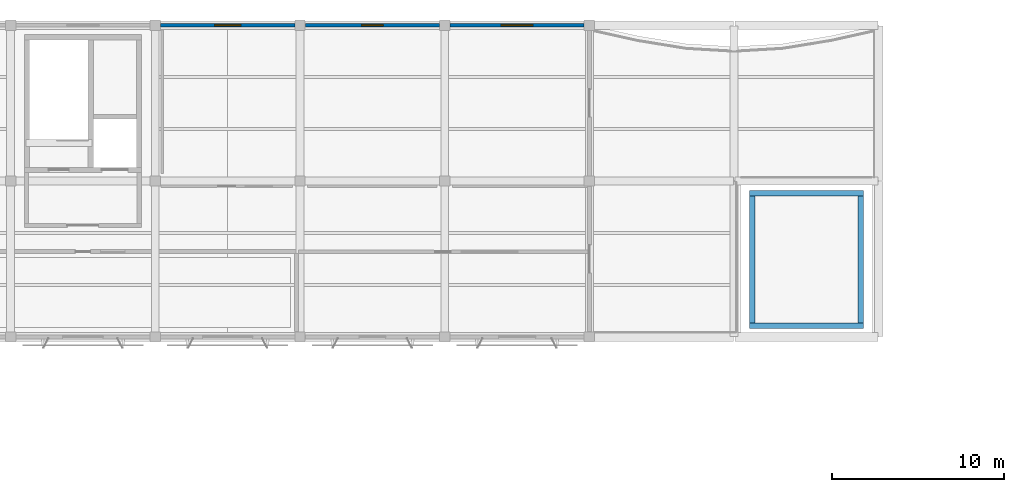
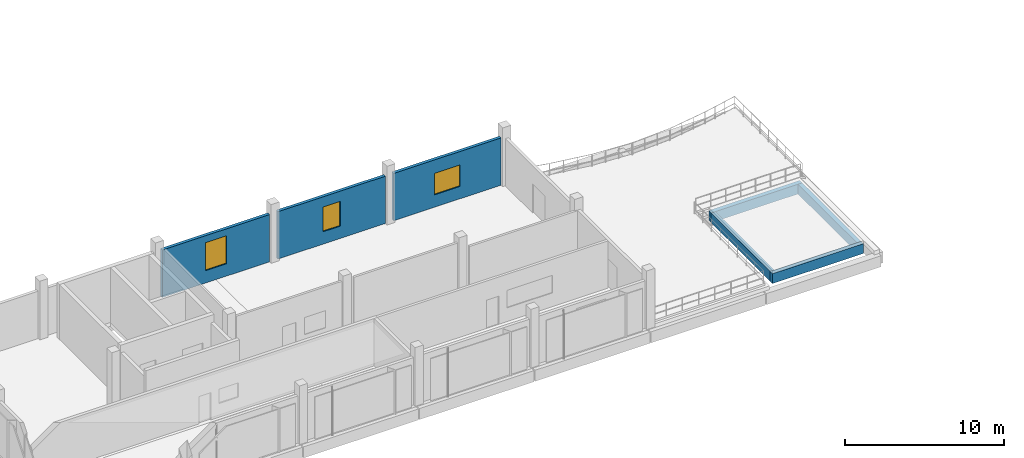
# One storey, part 20 of 28: 7 walls, 3 windows, 3 openings.
"""IFC4 building model written with IfcOpenShell, lengths in metres."""

import ifcopenshell
import ifcopenshell.guid

model = None  # the IFC model being written
_history = None  # IfcOwnerHistory: only IFC2X3 demands one
_inside = {}  # id of a spatial element -> (the spatial element, [elements in it])
_under = {}  # id of a project, library or spatial element -> (it, [spatial elements below it])
_declared = {}  # id of a project -> (the project, [libraries it declares])
_typed = {}  # id of a type object -> (the type object, [elements of that type])
_made_of = {}  # id of a material, layer set ... -> (it, [elements and type objects made of it])


def new_model(schema):
    """Start an empty IFC model of exactly this schema.

    Asked for "IFC4X3", IfcOpenShell would pick the latest addendum, in which some entities
    have other attributes; the version numbers below select the first issue.
    IFC2X3 requires an IfcOwnerHistory on every rooted entity: one is made here for all.
    """
    global model, _history
    if schema == "IFC4X3":
        model = ifcopenshell.file(schema_version=(4, 3, 0, 0))
    else:
        model = ifcopenshell.file(schema=schema)
    _inside.clear()
    _under.clear()
    _declared.clear()
    _typed.clear()
    _made_of.clear()
    _history = None
    if model.schema == "IFC2X3":
        org = make("IfcOrganization", Name="unknown")
        user = make(
            "IfcPersonAndOrganization",
            ThePerson=make("IfcPerson", FamilyName="unknown"),
            TheOrganization=org,
        )
        app = make(
            "IfcApplication",
            ApplicationDeveloper=org,
            Version="unknown",
            ApplicationFullName="unknown",
            ApplicationIdentifier="unknown",
        )
        _history = make(
            "IfcOwnerHistory",
            OwningUser=user,
            OwningApplication=app,
            ChangeAction="ADDED",
            CreationDate=0,
        )
    return model


def make(cls, **values):
    """One entity of the class cls with the attributes given. An attribute that is None is left unset."""
    return model.create_entity(
        cls, **{name: value for name, value in values.items() if value is not None}
    )


def rooted(cls, **values):
    """An entity with a GlobalId (a new one), such as an element, a storey or a relation."""
    return make(cls, GlobalId=ifcopenshell.guid.new(), OwnerHistory=_history, **values)


def si_unit(unit_type, name, prefix=None):
    """IfcSIUnit, for example si_unit("LENGTHUNIT", "METRE", prefix="MILLI")."""
    return make("IfcSIUnit", UnitType=unit_type, Prefix=prefix, Name=name)


def assignment(units):
    """IfcUnitAssignment: the units of a project."""
    return None if units is None else make("IfcUnitAssignment", Units=units)


def point(xyz):
    """IfcCartesianPoint."""
    return None if xyz is None else make("IfcCartesianPoint", Coordinates=xyz)


def direction(xyz):
    """IfcDirection."""
    return None if xyz is None else make("IfcDirection", DirectionRatios=xyz)


def frame(location, z_axis=None, x_axis=None):
    """IfcAxis2Placement3D, a coordinate frame: its origin and axes. An axis left out is left unset."""
    return make(
        "IfcAxis2Placement3D",
        Location=point(location),
        Axis=direction(z_axis),
        RefDirection=direction(x_axis),
    )


def frame_2d(location, x_axis=None):
    """IfcAxis2Placement2D, a coordinate frame in the plane: its origin and x axis."""
    return make(
        "IfcAxis2Placement2D", Location=point(location), RefDirection=direction(x_axis)
    )


def origin():
    """The frame at (0, 0, 0) with its axes left unset."""
    return frame((0.0, 0.0, 0.0))


def place(relative_to, where):
    """IfcLocalPlacement: puts the frame where relative to a parent placement (None: the world)."""
    return make(
        "IfcLocalPlacement", PlacementRelTo=relative_to, RelativePlacement=where
    )


def context(
    kind, dimensions, precision=None, world=None, true_north=None, identifier=None
):
    """IfcGeometricRepresentationContext, for example the 3D "Model" context."""
    return make(
        "IfcGeometricRepresentationContext",
        ContextIdentifier=identifier,
        ContextType=kind,
        CoordinateSpaceDimension=dimensions,
        Precision=precision,
        WorldCoordinateSystem=world,
        TrueNorth=true_north,
    )


def subcontext(parent, identifier, kind, view, scale=None):
    """IfcGeometricRepresentationSubContext, for example "Body" below "Model"."""
    return make(
        "IfcGeometricRepresentationSubContext",
        ContextIdentifier=identifier,
        ContextType=kind,
        ParentContext=parent,
        TargetScale=scale,
        TargetView=view,
    )


def project(units=None, contexts=None):
    """IfcProject with its units and contexts."""
    return rooted(
        "IfcProject",
        Name="project",
        RepresentationContexts=contexts,
        UnitsInContext=assignment(units),
    )


def spatial(cls, under=None, at=None, **own):
    """A site, building, storey or space (cls), placed at a placement, below another one or the project."""
    s = rooted(cls, ObjectPlacement=at, **own)
    if under is not None:
        _under.setdefault(under.id(), (under, []))[1].append(s)
    return s


def profile(cls, at=None, kind="AREA", **sizes):
    """A parametric profile (cls). Its sizes go by their IFC names, for example OverallWidth=200.0."""
    return make(cls, ProfileType=kind, Position=at, **sizes)


def rectangle(**sizes):
    """IfcRectangleProfileDef."""
    return profile("IfcRectangleProfileDef", **sizes)


def extrude(swept, where, along, depth):
    """IfcExtrudedAreaSolid: the profile swept, set in the frame where, extruded along a direction by depth."""
    return make(
        "IfcExtrudedAreaSolid",
        SweptArea=swept,
        Position=where,
        ExtrudedDirection=direction(along),
        Depth=depth,
    )


def shape(context_of_items, identifier, shape_type, items):
    """IfcShapeRepresentation: the items that make up one representation, for example the "Body"."""
    return make(
        "IfcShapeRepresentation",
        ContextOfItems=context_of_items,
        RepresentationIdentifier=identifier,
        RepresentationType=shape_type,
        Items=items,
    )


def material(Name=None, Category=None):
    """IfcMaterial."""
    return make("IfcMaterial", Name=Name, Category=Category)


def layer(
    of_material, thickness, ventilated=None, Name=None, Category=None, Priority=None
):
    """IfcMaterialLayer: one layer of a wall or slab, of a material (None: an air gap)."""
    return make(
        "IfcMaterialLayer",
        Material=of_material,
        LayerThickness=thickness,
        IsVentilated=ventilated,
        Name=Name,
        Category=Category,
        Priority=Priority,
    )


def layer_set(layers, Name=None):
    """IfcMaterialLayerSet."""
    return make("IfcMaterialLayerSet", MaterialLayers=layers, LayerSetName=Name)


def made_of(thing, what):
    """Note that an element or type object is made of a material, layer set ...; save() writes the relation."""
    if what is not None:
        _made_of.setdefault(what.id(), (what, []))[1].append(thing)
    return thing


def type_object(cls, material=None, **own):
    """A type object (cls), such as IfcWallType, which elements share."""
    return made_of(rooted(cls, **own), material)


def element(
    cls,
    number,
    at=None,
    inside=None,
    cuts=None,
    type_object=None,
    material=None,
    context=None,
    identifier="Body",
    shape_type=None,
    held_by="IfcProductDefinitionShape",
    body=None,
    shapes=None,
    **own,
):
    """One element of the class cls, such as IfcWall. Its Tag is "e" and its number.

    at: its placement. inside: the storey or other place that contains it. cuts: it is an
    opening in that element (IfcRelVoidsElement). A single representation is given by context,
    identifier, shape_type and body (its items); several are given by shapes. held_by: the class
    of the entity that holds the representations. save() writes the other relations.
    """
    e = rooted(cls, Tag="e%d" % number, ObjectPlacement=at, **own)
    if body is not None:
        shapes = [shape(context, identifier, shape_type, body)]
    if shapes is not None:
        e.Representation = make(held_by, Representations=shapes)
    if inside is not None:
        _inside.setdefault(inside.id(), (inside, []))[1].append(e)
    if cuts is not None:
        rooted(
            "IfcRelVoidsElement", RelatingBuildingElement=cuts, RelatedOpeningElement=e
        )
    if type_object is not None:
        _typed.setdefault(type_object.id(), (type_object, []))[1].append(e)
    return made_of(e, material)


def fill(opening, filler):
    """IfcRelFillsElement: the door or window that sits in an opening."""
    return rooted(
        "IfcRelFillsElement",
        RelatingOpeningElement=opening,
        RelatedBuildingElement=filler,
    )


def aggregate(whole, parts):
    """IfcRelAggregates: a whole, such as a stair, and the parts it consists of."""
    return rooted("IfcRelAggregates", RelatingObject=whole, RelatedObjects=parts)


def save(model, path):
    """Write the relations noted so far, then the file.

    IfcRelAggregates (storeys below a building ...), IfcRelContainedInSpatialStructure (elements
    in a storey), IfcRelDefinesByType, IfcRelAssociatesMaterial and IfcRelDeclares: one each for
    every whole, place, type object, material and project.
    """
    for whole, parts in _under.values():
        aggregate(whole, parts)
    for where, things in _inside.values():
        rooted(
            "IfcRelContainedInSpatialStructure",
            RelatedElements=things,
            RelatingStructure=where,
        )
    for kind, things in _typed.values():
        rooted("IfcRelDefinesByType", RelatedObjects=things, RelatingType=kind)
    for what, things in _made_of.values():
        rooted("IfcRelAssociatesMaterial", RelatedObjects=things, RelatingMaterial=what)
    for by, libraries in _declared.values():
        rooted("IfcRelDeclares", RelatingContext=by, RelatedDefinitions=libraries)
    model.write(path)


model = new_model("IFC4")

# Units and contexts
model_context = context("Model", 3, precision=1e-05, world=origin(), true_north=direction((0.0, 1.0)))
body_context = subcontext(model_context, "Body", "Model", "MODEL_VIEW")
ifc_project = project(units=[si_unit("LENGTHUNIT", "METRE"), si_unit("AREAUNIT", "SQUARE_METRE"), si_unit("VOLUMEUNIT", "CUBIC_METRE"), si_unit("PLANEANGLEUNIT", "RADIAN"), si_unit("MASSUNIT", "GRAM", prefix="KILO")], contexts=[model_context])

# Site, building, storey
site_placement = place(None, origin())
site = spatial("IfcSite", under=ifc_project, at=site_placement, CompositionType="ELEMENT")
building_placement = place(site_placement, origin())
building = spatial("IfcBuilding", under=site, at=building_placement, Name="Khurvash Pelagic Aquarium", CompositionType="ELEMENT")
storey_placement = place(building_placement, frame((0.0, 0.0, 20.10009765625)))
storey = spatial("IfcBuildingStorey", under=building, at=storey_placement, Name="L04", CompositionType="ELEMENT", Elevation=20.10009765625)

# Wall, opening, window
ifc_material_1 = material(Name="Glass-fibre reinforced concrete C40/50", Category="concrete")
ifc_layer_1 = layer(ifc_material_1, 0.219970703125)
ifc_layer_set_1 = layer_set([ifc_layer_1], Name="Glass-fibre reinforced concrete C40/50")
wall_type_1 = type_object("IfcWallType", Name="EW-220", PredefinedType="STANDARD", material=ifc_layer_set_1)
wall_1_placement = place(storey_placement, frame((100.4951171875, 102.14990234375, 0.0), z_axis=(0.0, 0.0, 1.0), x_axis=(-1.0, 0.0, 0.0)))
wall_1 = element("IfcWall", 1, at=wall_1_placement, inside=storey, type_object=wall_type_1, Name="L04 Exterior Architectural Facade Wall EW-220 0196", PredefinedType="STANDARD", context=body_context, shape_type="SweptSolid", body=[
    extrude(rectangle(XDim=7.7900390625, YDim=0.219970703125, at=frame_2d((3.89501953125, 0.0))), origin(), (0.0, 0.0, 1.0), 3.630859375),
])
opening_1_placement = place(wall_1_placement, frame((2.969970703125, 0.0, 0.949951171875)))
opening_1 = element("IfcOpeningElement", 2, at=opening_1_placement, cuts=wall_1, Name="Opening WN-29", PredefinedType="OPENING", context=body_context, shape_type="SweptSolid", body=[
    extrude(rectangle(XDim=1.85009765625, YDim=1.64990234375, at=frame_2d((0.925048828125, 0.824951171875))), frame((0.0, 0.1201171875, 0.0), z_axis=(0.0, -1.0, 0.0), x_axis=(1.0, 0.0, 0.0)), (0.0, 0.0, 1.0), 0.239990234375),
])
ifc_material_2 = material(Name="Thermally broken aluminium and low-E glass", Category="aluminium")
window_type_1 = type_object("IfcWindowType", Name="WN-29", PartitioningType="SINGLE_PANEL", PredefinedType="WINDOW", material=ifc_material_2)
window_1_placement = place(opening_1_placement, origin())
window_1 = element("IfcWindow", 3, at=window_1_placement, inside=storey, type_object=window_type_1, Name="L04 Facade Window WN-29 0130", OverallHeight=1.64990234375, OverallWidth=1.85009765625, PartitioningType="SINGLE_PANEL", PredefinedType="WINDOW", context=body_context, shape_type="SweptSolid", body=[
    extrude(rectangle(XDim=1.85009765625, YDim=1.64990234375, at=frame_2d((0.925048828125, 0.824951171875))), frame((0.0, 0.030029296875, 0.0), z_axis=(0.0, -1.0, 0.0), x_axis=(1.0, 0.0, 0.0)), (0.0, 0.0, 1.0), 0.06005859375),
])
fill(opening_1, window_1)

wall_2_placement = place(storey_placement, frame((92.094970703125, 102.14990234375, 0.0), z_axis=(0.0, 0.0, 1.0), x_axis=(-1.0, 0.0, 0.0)))
wall_2 = element("IfcWall", 4, at=wall_2_placement, inside=storey, type_object=wall_type_1, Name="L04 Exterior Architectural Facade Wall EW-220 0197", PredefinedType="STANDARD", context=body_context, shape_type="SweptSolid", body=[
    extrude(rectangle(XDim=7.7900390625, YDim=0.219970703125, at=frame_2d((3.89501953125, 0.0))), origin(), (0.0, 0.0, 1.0), 3.630859375),
])
opening_2_placement = place(wall_2_placement, frame((3.27001953125, 0.0, 0.949951171875)))
opening_2 = element("IfcOpeningElement", 5, at=opening_2_placement, cuts=wall_2, Name="Opening WN-31", PredefinedType="OPENING", context=body_context, shape_type="SweptSolid", body=[
    extrude(rectangle(XDim=1.25, YDim=1.89990234375, at=frame_2d((0.625, 0.949951171875))), frame((0.0, 0.1201171875, 0.0), z_axis=(0.0, -1.0, 0.0), x_axis=(1.0, 0.0, 0.0)), (0.0, 0.0, 1.0), 0.239990234375),
])
window_type_2 = type_object("IfcWindowType", Name="WN-31", PartitioningType="SINGLE_PANEL", PredefinedType="WINDOW", material=ifc_material_2)
window_2_placement = place(opening_2_placement, origin())
window_2 = element("IfcWindow", 6, at=window_2_placement, inside=storey, type_object=window_type_2, Name="L04 Facade Window WN-31 0131", OverallHeight=1.89990234375, OverallWidth=1.25, PartitioningType="SINGLE_PANEL", PredefinedType="WINDOW", context=body_context, shape_type="SweptSolid", body=[
    extrude(rectangle(XDim=1.25, YDim=1.89990234375, at=frame_2d((0.625, 0.949951171875))), frame((0.0, 0.030029296875, 0.0), z_axis=(0.0, -1.0, 0.0), x_axis=(1.0, 0.0, 0.0)), (0.0, 0.0, 1.0), 0.06005859375),
])
fill(opening_2, window_2)

wall_3_placement = place(storey_placement, frame((83.695068359375, 102.14990234375, 0.0), z_axis=(0.0, 0.0, 1.0), x_axis=(-1.0, 0.0, 0.0)))
wall_3 = element("IfcWall", 7, at=wall_3_placement, inside=storey, type_object=wall_type_1, Name="L04 Exterior Architectural Facade Wall EW-220 0198", PredefinedType="STANDARD", context=body_context, shape_type="SweptSolid", body=[
    extrude(rectangle(XDim=7.7900390625, YDim=0.219970703125, at=frame_2d((3.89501953125, 0.0))), origin(), (0.0, 0.0, 1.0), 3.630859375),
])
opening_3_placement = place(wall_3_placement, frame((3.135009765625, 0.0, 0.949951171875)))
opening_3 = element("IfcOpeningElement", 8, at=opening_3_placement, cuts=wall_3, Name="Opening WN-33", PredefinedType="OPENING", context=body_context, shape_type="SweptSolid", body=[
    extrude(rectangle(XDim=1.52001953125, YDim=2.14990234375, at=frame_2d((0.760009765625, 1.074951171875))), frame((0.0, 0.1201171875, 0.0), z_axis=(0.0, -1.0, 0.0), x_axis=(1.0, 0.0, 0.0)), (0.0, 0.0, 1.0), 0.239990234375),
])
window_type_3 = type_object("IfcWindowType", Name="WN-33", PartitioningType="SINGLE_PANEL", PredefinedType="WINDOW", material=ifc_material_2)
window_3_placement = place(opening_3_placement, origin())
window_3 = element("IfcWindow", 9, at=window_3_placement, inside=storey, type_object=window_type_3, Name="L04 Facade Window WN-33 0132", OverallHeight=2.14990234375, OverallWidth=1.52001953125, PartitioningType="SINGLE_PANEL", PredefinedType="WINDOW", context=body_context, shape_type="SweptSolid", body=[
    extrude(rectangle(XDim=1.52001953125, YDim=2.14990234375, at=frame_2d((0.760009765625, 1.074951171875))), frame((0.0, 0.030029296875, 0.0), z_axis=(0.0, -1.0, 0.0), x_axis=(1.0, 0.0, 0.0)), (0.0, 0.0, 1.0), 0.06005859375),
])
fill(opening_3, window_3)

# Walls
ifc_material_3 = material(Name="Concrete C40/50", Category="concrete")
ifc_layer_2 = layer(ifc_material_3, 0.31494140625)
ifc_layer_set_2 = layer_set([ifc_layer_2], Name="Concrete C40/50")
wall_type_2 = type_object("IfcWallType", Name="SW-315", PredefinedType="SHEAR", material=ifc_layer_set_2)
for number, where, z_axis, x_axis, name in (
    (10, (110.10009765625, 84.699951171875, -0.300048828125), (0.0, 0.0, 1.0), (1.0, 0.0, 0.0), "L04 Core C6 Overrun Penthouse Wall SW-315"),
    (11, (110.10009765625, 92.39990234375, -0.300048828125), (0.0, 0.0, 1.0), (1.0, 0.0, 0.0), "L04 Core C6 Overrun Penthouse Wall SW-315"),
):
    element("IfcWall", number, at=place(storey_placement, frame(where, z_axis=z_axis, x_axis=x_axis)), inside=storey, type_object=wall_type_2, Name=name, PredefinedType="SHEAR", context=body_context, shape_type="SweptSolid", body=[
        extrude(rectangle(XDim=6.599853515625, YDim=0.31494140625, at=frame_2d((3.2998046875, 0.0))), origin(), (0.0, 0.0, 1.0), 0.75),
    ])
for number, where, z_axis, x_axis, name in (
    (12, (110.25, 84.85009765625, -0.300048828125), (0.0, 0.0, 1.0), (0.0, 1.0, 0.0), "L04 Core C6 Overrun Penthouse Wall SW-315"),
    (13, (116.550048828125, 84.85009765625, -0.300048828125), (0.0, 0.0, 1.0), (0.0, 1.0, 0.0), "L04 Core C6 Overrun Penthouse Wall SW-315"),
):
    element("IfcWall", number, at=place(storey_placement, frame(where, z_axis=z_axis, x_axis=x_axis)), inside=storey, type_object=wall_type_2, Name=name, PredefinedType="SHEAR", context=body_context, shape_type="SweptSolid", body=[
        extrude(rectangle(XDim=7.39990234375, YDim=0.31494140625, at=frame_2d((3.699951171875, 0.0))), origin(), (0.0, 0.0, 1.0), 0.75),
    ])

save(model, "model.ifc")
